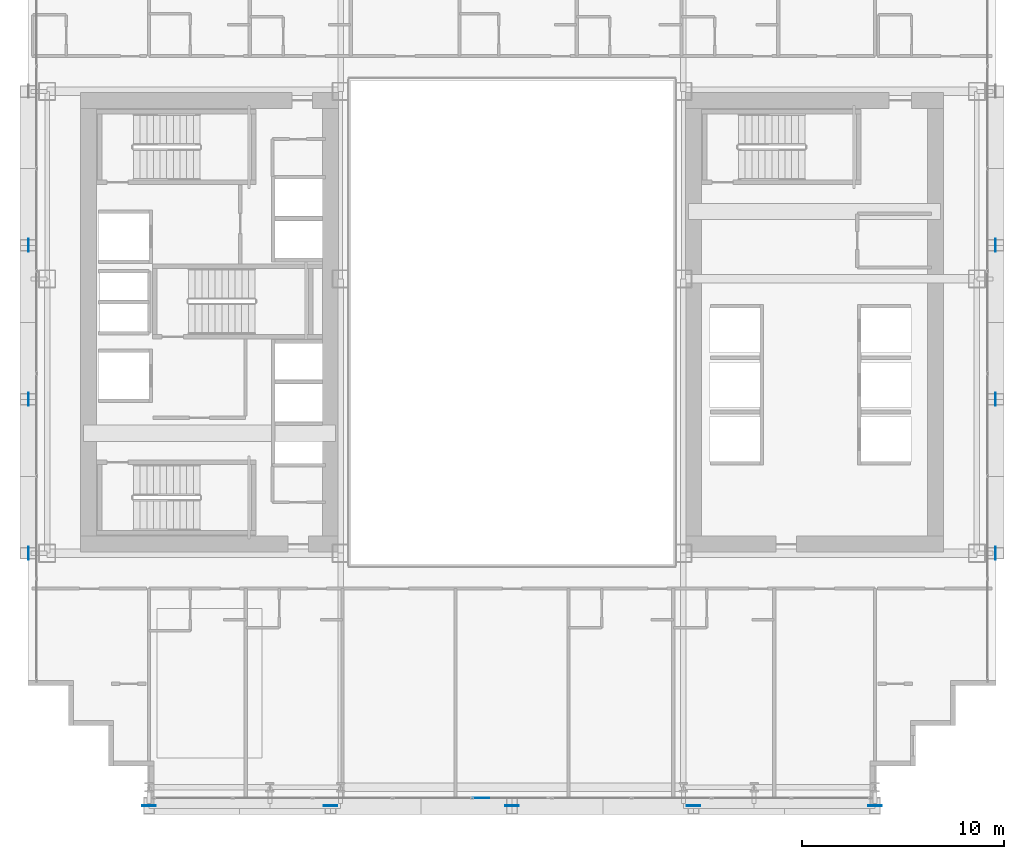
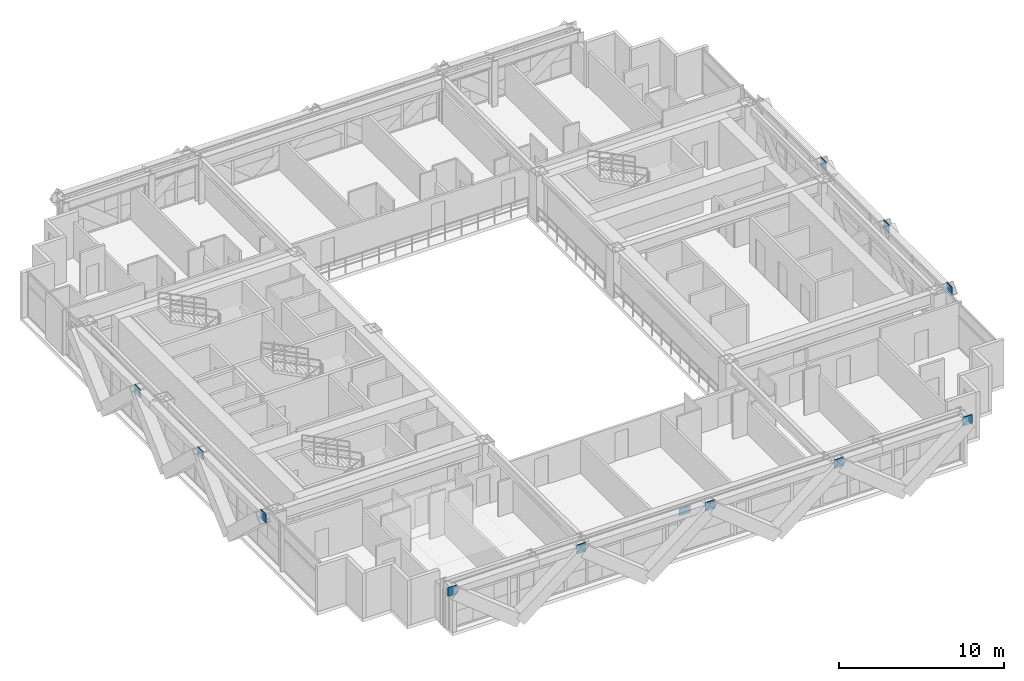
# One storey, part 28 of 38: 12 plates, 1 element without a shape of its own.
"""IFC4 building model written with IfcOpenShell, lengths in metres."""

from ifc_helpers import new_model, si_unit, direction, frame, origin, origin_2d, place, context, subcontext, project, spatial, rectangle, extrude, source, transform, mapped, material, layer, layer_set, type_object, element, aggregate, save


model = new_model("IFC4")

# Units and contexts
model_context = context("Model", 3, precision=1e-05, world=origin(), true_north=direction((0.0, 1.0)))
body_context = subcontext(model_context, "Body", "Model", "MODEL_VIEW")
ifc_project = project(units=[si_unit("LENGTHUNIT", "METRE"), si_unit("AREAUNIT", "SQUARE_METRE"), si_unit("VOLUMEUNIT", "CUBIC_METRE"), si_unit("PLANEANGLEUNIT", "RADIAN"), si_unit("MASSUNIT", "GRAM", prefix="KILO")], contexts=[model_context])

# Site, building, storey
site_placement = place(None, origin())
site = spatial("IfcSite", under=ifc_project, at=site_placement, CompositionType="ELEMENT")
building_placement = place(site_placement, origin())
building = spatial("IfcBuilding", under=site, at=building_placement, Name="Ocotamira Hotel", CompositionType="ELEMENT")
storey_placement = place(building_placement, frame((0.0, 0.0, 74.39990234375)))
storey = spatial("IfcBuildingStorey", under=building, at=storey_placement, Name="L18", CompositionType="ELEMENT", Elevation=74.39990234375)

# Plates
ifc_material_1 = material(Name="Pale-metal coated steel ASTM A572 Grade 50", Category="steel")
ifc_layer_1 = layer(ifc_material_1, 0.0400390625)
ifc_layer_set_1 = layer_set([ifc_layer_1], Name="Pale-metal coated steel ASTM A572 Grade 50")
plate_type_1 = type_object("IfcPlateType", Name="PLT-GUSSET-40", PredefinedType="SHEET", material=ifc_layer_set_1)
shared_shape_1 = source(origin(), body_context, "Body", "SweptSolid", [
    extrude(rectangle(XDim=0.64990234375, YDim=0.0400390625, at=origin_2d()), origin(), (0.0, 0.0, 1.0), 0.64990234375),
])
for number, where, z_axis, x_axis, name in (
    (1, (14.0, 2.030029296875, 2.775146484375), (0.0, 0.0, 1.0), (-1.0, 0.0, 0.0), "L18 Exoskeleton Diagrid S0.1 End Gusset B"),
    (2, (23.0, 2.030029296875, 2.775146484375), (0.0, 0.0, 1.0), (1.0, 0.0, 0.0), "L18 Exoskeleton Diagrid S0.2 End Gusset B"),
    (3, (32.0, 2.030029296875, 2.775146484375), (0.0, 0.0, 1.0), (1.0, 0.0, 0.0), "L18 Exoskeleton Diagrid S1.2 End Gusset B"),
    (4, (41.0, 2.030029296875, 2.775146484375), (0.0, 0.0, 1.0), (1.0, 0.0, 0.0), "L18 Exoskeleton Diagrid S2.2 End Gusset B"),
    (5, (50.0, 2.030029296875, 2.775146484375), (0.0, 0.0, 1.0), (1.0, 0.0, 0.0), "L18 Exoskeleton Diagrid S3.2 End Gusset B"),
):
    element("IfcPlate", number, at=place(storey_placement, frame(where, z_axis=z_axis, x_axis=x_axis)), inside=storey, type_object=plate_type_1, Name=name, PredefinedType="SHEET", context=body_context, shape_type="MappedRepresentation", body=[
        mapped(shared_shape_1, transform((0.0, 0.0, 0.0), scale=1.0)),
    ])
shared_shape_2 = source(origin(), body_context, "Body", "SweptSolid", [
    extrude(rectangle(XDim=0.0400390625, YDim=0.64990234375, at=origin_2d()), origin(), (0.0, 0.0, 1.0), 0.64990234375),
])
for number, where, z_axis, x_axis, name in (
    (6, (8.030029296875, 14.550048828125, 2.775146484375), (0.0, 0.0, 1.0), (1.0, 0.0, 0.0), "L18 Exoskeleton Diagrid W0.1 End Gusset B"),
    (7, (8.030029296875, 22.183349609375, 2.775146484375), (0.0, 0.0, 1.0), (1.0, 0.0, 0.0), "L18 Exoskeleton Diagrid W0.2 End Gusset B"),
    (8, (8.030029296875, 29.816650390625, 2.775146484375), (0.0, 0.0, 1.0), (1.0, 0.0, 0.0), "L18 Exoskeleton Diagrid W1.2 End Gusset B"),
    (9, (55.969970703125, 14.550048828125, 2.775146484375), (0.0, 0.0, 1.0), (1.0, 0.0, 0.0), "L18 Exoskeleton Diagrid E0.1 End Gusset B"),
    (10, (55.969970703125, 22.183349609375, 2.775146484375), (0.0, 0.0, 1.0), (1.0, 0.0, 0.0), "L18 Exoskeleton Diagrid E0.2 End Gusset B"),
    (11, (55.969970703125, 29.816650390625, 2.775146484375), (0.0, 0.0, 1.0), (1.0, 0.0, 0.0), "L18 Exoskeleton Diagrid E1.2 End Gusset B"),
):
    element("IfcPlate", number, at=place(storey_placement, frame(where, z_axis=z_axis, x_axis=x_axis)), inside=storey, type_object=plate_type_1, Name=name, PredefinedType="SHEET", context=body_context, shape_type="MappedRepresentation", body=[
        mapped(shared_shape_2, transform((0.0, 0.0, 0.0), scale=1.0)),
    ])

# Curtain wall, plate
ifc_material_2 = material(Name="Anodised pale-metal aluminium and solar glass", Category="aluminium")
ifc_layer_2 = layer(ifc_material_2, 0.179931640625)
ifc_layer_set_2 = layer_set([ifc_layer_2], Name="Anodised pale-metal aluminium and solar glass")
curtain_wall_type = type_object("IfcCurtainWallType", Name="CW-SYS2-Z1", PredefinedType="NOTDEFINED", material=ifc_layer_set_2)
curtain_wall_placement = place(storey_placement, origin())
curtain_wall = element("IfcCurtainWall", 12, at=curtain_wall_placement, inside=storey, type_object=curtain_wall_type, Name="L18 Curtain Wall CW-2 CW-L18-S1", PredefinedType="NOTDEFINED")
ifc_material_3 = material(Name="Double-silver low-E insulated solar glass", Category="glass")
ifc_layer_3 = layer(ifc_material_3, 0.031982421875)
ifc_layer_set_3 = layer_set([ifc_layer_3], Name="Double-silver low-E insulated solar glass")
plate_type_2 = type_object("IfcPlateType", Name="CWP-VISION-32", PredefinedType="CURTAIN_PANEL", material=ifc_layer_set_3)
shared_shape_3 = source(origin(), body_context, "Body", "SweptSolid", [
    extrude(rectangle(XDim=0.797607421875, YDim=0.031982421875, at=origin_2d()), origin(), (0.0, 0.0, 1.0), 0.5107421875),
])
plate_placement = place(storey_placement, frame((30.461181640625, 2.419921875, 2.764404296875), z_axis=(0.0, 0.0, 1.0), x_axis=(1.0, 0.0, 0.0)))
plate = element("IfcPlate", 13, at=plate_placement, type_object=plate_type_2, Name="CW-2 panel 5.2.1", PredefinedType="CURTAIN_PANEL", context=body_context, shape_type="MappedRepresentation", body=[
    mapped(shared_shape_3, transform((0.0, 0.0, 0.0), scale=1.0)),
])
aggregate(curtain_wall, [plate])

save(model, "model.ifc")
